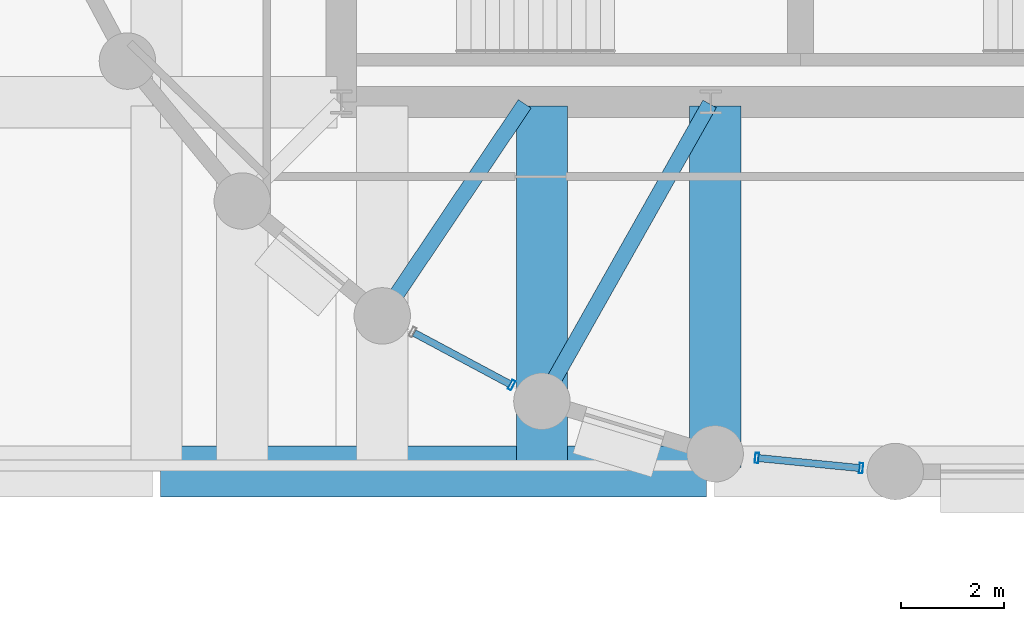
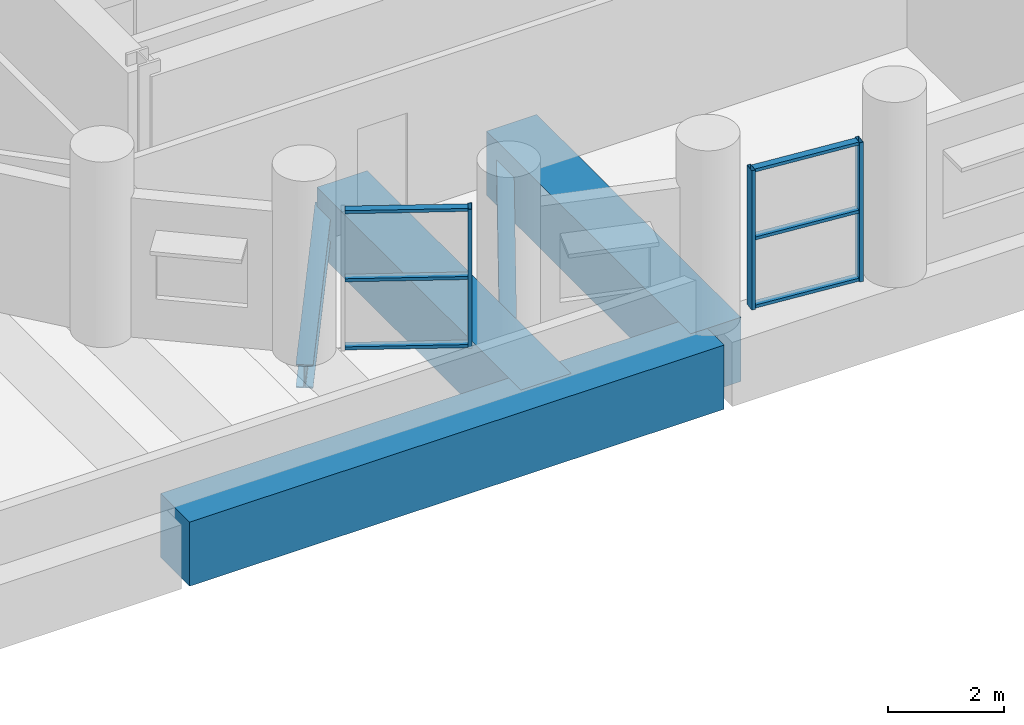
# One storey, part 5 of 39: 9 members, 5 beams, 2 elements without a shape of their own.
"""IFC4 building model written with IfcOpenShell, lengths in metres."""

import ifcopenshell
import ifcopenshell.guid

model = None  # the IFC model being written
_history = None  # IfcOwnerHistory: only IFC2X3 demands one
_inside = {}  # id of a spatial element -> (the spatial element, [elements in it])
_under = {}  # id of a project, library or spatial element -> (it, [spatial elements below it])
_declared = {}  # id of a project -> (the project, [libraries it declares])
_typed = {}  # id of a type object -> (the type object, [elements of that type])
_made_of = {}  # id of a material, layer set ... -> (it, [elements and type objects made of it])


def new_model(schema):
    """Start an empty IFC model of exactly this schema.

    Asked for "IFC4X3", IfcOpenShell would pick the latest addendum, in which some entities
    have other attributes; the version numbers below select the first issue.
    IFC2X3 requires an IfcOwnerHistory on every rooted entity: one is made here for all.
    """
    global model, _history
    if schema == "IFC4X3":
        model = ifcopenshell.file(schema_version=(4, 3, 0, 0))
    else:
        model = ifcopenshell.file(schema=schema)
    _inside.clear()
    _under.clear()
    _declared.clear()
    _typed.clear()
    _made_of.clear()
    _history = None
    if model.schema == "IFC2X3":
        org = make("IfcOrganization", Name="unknown")
        user = make(
            "IfcPersonAndOrganization",
            ThePerson=make("IfcPerson", FamilyName="unknown"),
            TheOrganization=org,
        )
        app = make(
            "IfcApplication",
            ApplicationDeveloper=org,
            Version="unknown",
            ApplicationFullName="unknown",
            ApplicationIdentifier="unknown",
        )
        _history = make(
            "IfcOwnerHistory",
            OwningUser=user,
            OwningApplication=app,
            ChangeAction="ADDED",
            CreationDate=0,
        )
    return model


def make(cls, **values):
    """One entity of the class cls with the attributes given. An attribute that is None is left unset."""
    return model.create_entity(
        cls, **{name: value for name, value in values.items() if value is not None}
    )


def rooted(cls, **values):
    """An entity with a GlobalId (a new one), such as an element, a storey or a relation."""
    return make(cls, GlobalId=ifcopenshell.guid.new(), OwnerHistory=_history, **values)


def si_unit(unit_type, name, prefix=None):
    """IfcSIUnit, for example si_unit("LENGTHUNIT", "METRE", prefix="MILLI")."""
    return make("IfcSIUnit", UnitType=unit_type, Prefix=prefix, Name=name)


def assignment(units):
    """IfcUnitAssignment: the units of a project."""
    return None if units is None else make("IfcUnitAssignment", Units=units)


def point(xyz):
    """IfcCartesianPoint."""
    return None if xyz is None else make("IfcCartesianPoint", Coordinates=xyz)


def direction(xyz):
    """IfcDirection."""
    return None if xyz is None else make("IfcDirection", DirectionRatios=xyz)


def frame(location, z_axis=None, x_axis=None):
    """IfcAxis2Placement3D, a coordinate frame: its origin and axes. An axis left out is left unset."""
    return make(
        "IfcAxis2Placement3D",
        Location=point(location),
        Axis=direction(z_axis),
        RefDirection=direction(x_axis),
    )


def frame_2d(location, x_axis=None):
    """IfcAxis2Placement2D, a coordinate frame in the plane: its origin and x axis."""
    return make(
        "IfcAxis2Placement2D", Location=point(location), RefDirection=direction(x_axis)
    )


def origin():
    """The frame at (0, 0, 0) with its axes left unset."""
    return frame((0.0, 0.0, 0.0))


def origin_2d():
    """The frame at (0, 0) in the plane with its x axis left unset."""
    return frame_2d((0.0, 0.0))


def place(relative_to, where):
    """IfcLocalPlacement: puts the frame where relative to a parent placement (None: the world)."""
    return make(
        "IfcLocalPlacement", PlacementRelTo=relative_to, RelativePlacement=where
    )


def context(
    kind, dimensions, precision=None, world=None, true_north=None, identifier=None
):
    """IfcGeometricRepresentationContext, for example the 3D "Model" context."""
    return make(
        "IfcGeometricRepresentationContext",
        ContextIdentifier=identifier,
        ContextType=kind,
        CoordinateSpaceDimension=dimensions,
        Precision=precision,
        WorldCoordinateSystem=world,
        TrueNorth=true_north,
    )


def subcontext(parent, identifier, kind, view, scale=None):
    """IfcGeometricRepresentationSubContext, for example "Body" below "Model"."""
    return make(
        "IfcGeometricRepresentationSubContext",
        ContextIdentifier=identifier,
        ContextType=kind,
        ParentContext=parent,
        TargetScale=scale,
        TargetView=view,
    )


def project(units=None, contexts=None):
    """IfcProject with its units and contexts."""
    return rooted(
        "IfcProject",
        Name="project",
        RepresentationContexts=contexts,
        UnitsInContext=assignment(units),
    )


def spatial(cls, under=None, at=None, **own):
    """A site, building, storey or space (cls), placed at a placement, below another one or the project."""
    s = rooted(cls, ObjectPlacement=at, **own)
    if under is not None:
        _under.setdefault(under.id(), (under, []))[1].append(s)
    return s


def profile(cls, at=None, kind="AREA", **sizes):
    """A parametric profile (cls). Its sizes go by their IFC names, for example OverallWidth=200.0."""
    return make(cls, ProfileType=kind, Position=at, **sizes)


def rectangle(**sizes):
    """IfcRectangleProfileDef."""
    return profile("IfcRectangleProfileDef", **sizes)


def hollow_rectangle(**sizes):
    """IfcRectangleHollowProfileDef."""
    return profile("IfcRectangleHollowProfileDef", **sizes)


def i_section(**sizes):
    """IfcIShapeProfileDef."""
    return profile("IfcIShapeProfileDef", **sizes)


def extrude(swept, where, along, depth):
    """IfcExtrudedAreaSolid: the profile swept, set in the frame where, extruded along a direction by depth."""
    return make(
        "IfcExtrudedAreaSolid",
        SweptArea=swept,
        Position=where,
        ExtrudedDirection=direction(along),
        Depth=depth,
    )


def shape(context_of_items, identifier, shape_type, items):
    """IfcShapeRepresentation: the items that make up one representation, for example the "Body"."""
    return make(
        "IfcShapeRepresentation",
        ContextOfItems=context_of_items,
        RepresentationIdentifier=identifier,
        RepresentationType=shape_type,
        Items=items,
    )


def material(Name=None, Category=None):
    """IfcMaterial."""
    return make("IfcMaterial", Name=Name, Category=Category)


def layer(
    of_material, thickness, ventilated=None, Name=None, Category=None, Priority=None
):
    """IfcMaterialLayer: one layer of a wall or slab, of a material (None: an air gap)."""
    return make(
        "IfcMaterialLayer",
        Material=of_material,
        LayerThickness=thickness,
        IsVentilated=ventilated,
        Name=Name,
        Category=Category,
        Priority=Priority,
    )


def layer_set(layers, Name=None):
    """IfcMaterialLayerSet."""
    return make("IfcMaterialLayerSet", MaterialLayers=layers, LayerSetName=Name)


def material_profile(
    of_material, cross_section, Name=None, Category=None, Priority=None
):
    """IfcMaterialProfile: a cross section and its material."""
    return make(
        "IfcMaterialProfile",
        Name=Name,
        Material=of_material,
        Profile=cross_section,
        Priority=Priority,
        Category=Category,
    )


def profile_set(profiles, Name=None, composite=None):
    """IfcMaterialProfileSet."""
    return make(
        "IfcMaterialProfileSet",
        Name=Name,
        MaterialProfiles=profiles,
        CompositeProfile=composite,
    )


def made_of(thing, what):
    """Note that an element or type object is made of a material, layer set ...; save() writes the relation."""
    if what is not None:
        _made_of.setdefault(what.id(), (what, []))[1].append(thing)
    return thing


def type_object(cls, material=None, **own):
    """A type object (cls), such as IfcWallType, which elements share."""
    return made_of(rooted(cls, **own), material)


def element(
    cls,
    number,
    at=None,
    inside=None,
    cuts=None,
    type_object=None,
    material=None,
    context=None,
    identifier="Body",
    shape_type=None,
    held_by="IfcProductDefinitionShape",
    body=None,
    shapes=None,
    **own,
):
    """One element of the class cls, such as IfcWall. Its Tag is "e" and its number.

    at: its placement. inside: the storey or other place that contains it. cuts: it is an
    opening in that element (IfcRelVoidsElement). A single representation is given by context,
    identifier, shape_type and body (its items); several are given by shapes. held_by: the class
    of the entity that holds the representations. save() writes the other relations.
    """
    e = rooted(cls, Tag="e%d" % number, ObjectPlacement=at, **own)
    if body is not None:
        shapes = [shape(context, identifier, shape_type, body)]
    if shapes is not None:
        e.Representation = make(held_by, Representations=shapes)
    if inside is not None:
        _inside.setdefault(inside.id(), (inside, []))[1].append(e)
    if cuts is not None:
        rooted(
            "IfcRelVoidsElement", RelatingBuildingElement=cuts, RelatedOpeningElement=e
        )
    if type_object is not None:
        _typed.setdefault(type_object.id(), (type_object, []))[1].append(e)
    return made_of(e, material)


def aggregate(whole, parts):
    """IfcRelAggregates: a whole, such as a stair, and the parts it consists of."""
    return rooted("IfcRelAggregates", RelatingObject=whole, RelatedObjects=parts)


def save(model, path):
    """Write the relations noted so far, then the file.

    IfcRelAggregates (storeys below a building ...), IfcRelContainedInSpatialStructure (elements
    in a storey), IfcRelDefinesByType, IfcRelAssociatesMaterial and IfcRelDeclares: one each for
    every whole, place, type object, material and project.
    """
    for whole, parts in _under.values():
        aggregate(whole, parts)
    for where, things in _inside.values():
        rooted(
            "IfcRelContainedInSpatialStructure",
            RelatedElements=things,
            RelatingStructure=where,
        )
    for kind, things in _typed.values():
        rooted("IfcRelDefinesByType", RelatedObjects=things, RelatingType=kind)
    for what, things in _made_of.values():
        rooted("IfcRelAssociatesMaterial", RelatedObjects=things, RelatingMaterial=what)
    for by, libraries in _declared.values():
        rooted("IfcRelDeclares", RelatingContext=by, RelatedDefinitions=libraries)
    model.write(path)


model = new_model("IFC4")

# Units and contexts
model_context = context("Model", 3, precision=1e-05, world=origin(), true_north=direction((0.0, 1.0)))
body_context = subcontext(model_context, "Body", "Model", "MODEL_VIEW")
ifc_project = project(units=[si_unit("LENGTHUNIT", "METRE"), si_unit("AREAUNIT", "SQUARE_METRE"), si_unit("VOLUMEUNIT", "CUBIC_METRE"), si_unit("PLANEANGLEUNIT", "RADIAN"), si_unit("MASSUNIT", "GRAM", prefix="KILO")], contexts=[model_context])

# Site, building, storey
site_placement = place(None, origin())
site = spatial("IfcSite", under=ifc_project, at=site_placement, CompositionType="ELEMENT")
building_placement = place(site_placement, origin())
building = spatial("IfcBuilding", under=site, at=building_placement, Name="Solnavia Interchange Tower", CompositionType="ELEMENT")
storey_placement = place(building_placement, frame((0.0, 0.0, 24.0)))
storey = spatial("IfcBuildingStorey", under=building, at=storey_placement, Name="L05", CompositionType="ELEMENT", Elevation=24.0)

# Beams
ifc_material_1 = material(Name="Steel S460", Category="steel")
ifc_material_profile_1 = material_profile(ifc_material_1, i_section(OverallWidth=0.300048828125, OverallDepth=0.550048828125, WebThickness=0.014892578125, FlangeThickness=0.029052734375, FilletRadius=0.027099609375, at=origin_2d()), Name="HEB 550")
ifc_profile_set_1 = profile_set([ifc_material_profile_1], Name="Steel S460")
beam_type_1 = type_object("IfcBeamType", Name="Beam-Girder-HEB550", PredefinedType="BEAM", material=ifc_profile_set_1)
beam_1_placement = place(storey_placement, frame((18.351318359375, 5.039794921875, -0.675048828125), z_axis=(0.491243158486, 0.871022479182, 0.0), x_axis=(-0.871022479182, 0.491243158486, 0.0)))
element("IfcBeam", 1, at=beam_1_placement, inside=storey, type_object=beam_type_1, Name="GRD-L05-DR10 Drum radial floor girder", PredefinedType="BEAM", context=body_context, shape_type="SweptSolid", body=[
    extrude(i_section(OverallWidth=0.300048828125, OverallDepth=0.550048828125, WebThickness=0.014892578125, FlangeThickness=0.029052734375, FilletRadius=0.027099609375, at=origin_2d()), origin(), (0.0, 0.0, 1.0), 6.5732421875),
])
ifc_material_2 = material(Name="Steel S355", Category="steel")
ifc_material_profile_2 = material_profile(ifc_material_2, i_section(OverallWidth=0.300048828125, OverallDepth=0.489990234375, WebThickness=0.011962890625, FlangeThickness=0.02294921875, FilletRadius=0.027099609375, at=origin_2d()), Name="HEA 500")
ifc_profile_set_2 = profile_set([ifc_material_profile_2], Name="Steel S355")
beam_type_2 = type_object("IfcBeamType", Name="Beam-Primary-HEA500", PredefinedType="BEAM", material=ifc_profile_set_2)
beam_2_placement = place(storey_placement, frame((15.24462890625, 6.700439453125, -0.64501953125), z_axis=(0.557835474219, 0.829951555033, 0.0), x_axis=(-0.829951555033, 0.557835474219, 0.0)))
element("IfcBeam", 2, at=beam_2_placement, inside=storey, type_object=beam_type_2, Name="GRD-L05-DR09 Drum radial floor girder", PredefinedType="BEAM", context=body_context, shape_type="SweptSolid", body=[
    extrude(i_section(OverallWidth=0.300048828125, OverallDepth=0.489990234375, WebThickness=0.011962890625, FlangeThickness=0.02294921875, FilletRadius=0.027099609375, at=origin_2d()), origin(), (0.0, 0.0, 1.0), 4.899658203125),
])
ifc_material_3 = material(Name="Concrete C60/75", Category="concrete")
ifc_material_profile_3 = material_profile(ifc_material_3, rectangle(XDim=1.0, YDim=1.35009765625, at=origin_2d()), Name="RC 1000x1350")
ifc_profile_set_3 = profile_set([ifc_material_profile_3], Name="Concrete C60/75")
beam_type_3 = type_object("IfcBeamType", Name="Beam-Transfer-RC1000x1350", PredefinedType="BEAM", material=ifc_profile_set_3)
beam_3_placement = place(storey_placement, frame((10.8798828125, 3.60009765625, -0.675048828125), z_axis=(1.0, 0.0, 0.0), x_axis=(0.0, 1.0, 0.0)))
element("IfcBeam", 3, at=beam_3_placement, inside=storey, type_object=beam_type_3, Name="TRB-L05-02 South primary transfer girder", PredefinedType="BEAM", context=body_context, shape_type="SweptSolid", body=[
    extrude(rectangle(XDim=1.0, YDim=1.35009765625, at=origin_2d()), origin(), (0.0, 0.0, 1.0), 10.64013671875),
])
for number, where, z_axis, x_axis, name in (
    (4, (18.31201171875, 3.679931640625, -0.675048828125), (0.0, 1.0, 0.0), (-1.0, 0.0, 0.0), "TRB-L05-80 Drum south transfer girder"),
    (5, (21.68798828125, 3.679931640625, -0.675048828125), (0.0, 1.0, 0.0), (-1.0, 0.0, 0.0), "TRB-L05-81 Drum south transfer girder"),
):
    element("IfcBeam", number, at=place(storey_placement, frame(where, z_axis=z_axis, x_axis=x_axis)), inside=storey, type_object=beam_type_3, Name=name, PredefinedType="BEAM", context=body_context, shape_type="SweptSolid", body=[
        extrude(rectangle(XDim=1.0, YDim=1.35009765625, at=origin_2d()), origin(), (0.0, 0.0, 1.0), 7.0400390625),
    ])

# Curtain wall, member
ifc_material_4 = material(Name="Aluminium Alloy 6063-T6", Category="aluminium")
ifc_layer = layer(ifc_material_4, 0.219970703125)
ifc_layer_set = layer_set([ifc_layer], Name="Aluminium Alloy 6063-T6")
curtain_wall_type = type_object("IfcCurtainWallType", Name="CurtainWall-Tower-CTW3", PredefinedType="NOTDEFINED", material=ifc_layer_set)
curtain_wall_1_placement = place(storey_placement, origin())
curtain_wall_1 = element("IfcCurtainWall", 6, at=curtain_wall_1_placement, inside=storey, type_object=curtain_wall_type, Name="CTW-L05-S62 CTW-3 curtain wall", PredefinedType="NOTDEFINED")
ifc_material_profile_4 = material_profile(ifc_material_4, hollow_rectangle(XDim=0.070068359375, YDim=0.199951171875, WallThickness=0.0048828125, at=origin_2d()), Name="ALU 200x70x5")
ifc_profile_set_4 = profile_set([ifc_material_profile_4], Name="Aluminium Alloy 6063-T6")
member_type_1 = type_object("IfcMemberType", Name="CW-Mullion-CWM-3", PredefinedType="MULLION", material=ifc_profile_set_4)
member_1_placement = place(storey_placement, frame((17.72119140625, 5.285888671875, 0.0), z_axis=(0.0, 0.0, 1.0), x_axis=(0.881837729314, -0.471552986585, 0.0)))
member_1 = element("IfcMember", 7, at=member_1_placement, type_object=member_type_1, Name="CTW-3 mullion 2", PredefinedType="MULLION", context=body_context, shape_type="SweptSolid", body=[
    extrude(hollow_rectangle(XDim=0.070068359375, YDim=0.199951171875, WallThickness=0.0048828125, at=origin_2d()), origin(), (0.0, 0.0, 1.0), 2.929931640625),
])

# Curtain wall, members
curtain_wall_2_placement = place(storey_placement, origin())
curtain_wall_2 = element("IfcCurtainWall", 8, at=curtain_wall_2_placement, inside=storey, type_object=curtain_wall_type, Name="CTW-L05-S64 CTW-3 curtain wall", PredefinedType="NOTDEFINED")
member_2_placement = place(storey_placement, frame((22.50048828125, 3.865966796875, 0.0), z_axis=(0.0, 0.0, 1.0), x_axis=(0.995183718955, -0.098027371316, 0.0)))
member_2 = element("IfcMember", 9, at=member_2_placement, type_object=member_type_1, Name="CTW-3 mullion 1", PredefinedType="MULLION", context=body_context, shape_type="SweptSolid", body=[
    extrude(hollow_rectangle(XDim=0.070068359375, YDim=0.199951171875, WallThickness=0.0048828125, at=origin_2d()), origin(), (0.0, 0.0, 1.0), 2.929931640625),
])
member_3_placement = place(storey_placement, frame((24.533203125, 3.665771484375, 0.0), z_axis=(0.0, 0.0, 1.0), x_axis=(0.995183718955, -0.098027371316, 0.0)))
member_3 = element("IfcMember", 10, at=member_3_placement, type_object=member_type_1, Name="CTW-3 mullion 2", PredefinedType="MULLION", context=body_context, shape_type="SweptSolid", body=[
    extrude(hollow_rectangle(XDim=0.070068359375, YDim=0.199951171875, WallThickness=0.0048828125, at=origin_2d()), origin(), (0.0, 0.0, 1.0), 2.929931640625),
])

# Member
ifc_material_profile_5 = material_profile(ifc_material_4, hollow_rectangle(XDim=0.06494140625, YDim=0.139892578125, WallThickness=0.00390625, at=origin_2d()), Name="ALU 140x65x4")
ifc_profile_set_5 = profile_set([ifc_material_profile_5], Name="Aluminium Alloy 6063-T6")
member_type_2 = type_object("IfcMemberType", Name="CW-Transom-CWT-3", PredefinedType="USERDEFINED", material=ifc_profile_set_5)
member_4_placement = place(storey_placement, frame((15.82177734375, 6.301513671875, 0.032470703125), z_axis=(0.881854845875, -0.471520975999, 0.0), x_axis=(0.0, 0.0, 1.0)))
member_4 = element("IfcMember", 11, at=member_4_placement, type_object=member_type_2, Name="CTW-3 transom 1.1", ObjectType="TRANSOM", PredefinedType="USERDEFINED", context=body_context, shape_type="SweptSolid", body=[
    extrude(hollow_rectangle(XDim=0.06494140625, YDim=0.139892578125, WallThickness=0.00390625, at=origin_2d()), origin(), (0.0, 0.0, 1.0), 2.11865234375),
])

member_5_placement = place(storey_placement, frame((15.82177734375, 6.301513671875, 1.465087890625), z_axis=(0.881854845875, -0.471520975999, 0.0), x_axis=(0.0, 0.0, 1.0)))
member_5 = element("IfcMember", 12, at=member_5_placement, type_object=member_type_2, Name="CTW-3 transom 1.2", ObjectType="TRANSOM", PredefinedType="USERDEFINED", context=body_context, shape_type="SweptSolid", body=[
    extrude(hollow_rectangle(XDim=0.06494140625, YDim=0.139892578125, WallThickness=0.00390625, at=origin_2d()), origin(), (0.0, 0.0, 1.0), 2.11865234375),
])

member_6_placement = place(storey_placement, frame((15.82177734375, 6.301513671875, 2.8974609375), z_axis=(0.881854845875, -0.471520975999, 0.0), x_axis=(0.0, 0.0, 1.0)))
member_6 = element("IfcMember", 13, at=member_6_placement, type_object=member_type_2, Name="CTW-3 transom 1.3", ObjectType="TRANSOM", PredefinedType="USERDEFINED", context=body_context, shape_type="SweptSolid", body=[
    extrude(hollow_rectangle(XDim=0.06494140625, YDim=0.139892578125, WallThickness=0.00390625, at=origin_2d()), origin(), (0.0, 0.0, 1.0), 2.11865234375),
])

aggregate(curtain_wall_1, [member_1, member_4, member_5, member_6])

member_7_placement = place(storey_placement, frame((22.53515625, 3.862548828125, 0.032470703125), z_axis=(0.99518554585, -0.09800882272, 0.0), x_axis=(0.0, 0.0, 1.0)))
member_7 = element("IfcMember", 14, at=member_7_placement, type_object=member_type_2, Name="CTW-3 transom 1.1", ObjectType="TRANSOM", PredefinedType="USERDEFINED", context=body_context, shape_type="SweptSolid", body=[
    extrude(hollow_rectangle(XDim=0.06494140625, YDim=0.139892578125, WallThickness=0.00390625, at=origin_2d()), origin(), (0.0, 0.0, 1.0), 1.972900390625),
])

member_8_placement = place(storey_placement, frame((22.53515625, 3.862548828125, 1.465087890625), z_axis=(0.99518554585, -0.09800882272, 0.0), x_axis=(0.0, 0.0, 1.0)))
member_8 = element("IfcMember", 15, at=member_8_placement, type_object=member_type_2, Name="CTW-3 transom 1.2", ObjectType="TRANSOM", PredefinedType="USERDEFINED", context=body_context, shape_type="SweptSolid", body=[
    extrude(hollow_rectangle(XDim=0.06494140625, YDim=0.139892578125, WallThickness=0.00390625, at=origin_2d()), origin(), (0.0, 0.0, 1.0), 1.972900390625),
])

member_9_placement = place(storey_placement, frame((22.53515625, 3.862548828125, 2.8974609375), z_axis=(0.99518554585, -0.09800882272, 0.0), x_axis=(0.0, 0.0, 1.0)))
member_9 = element("IfcMember", 16, at=member_9_placement, type_object=member_type_2, Name="CTW-3 transom 1.3", ObjectType="TRANSOM", PredefinedType="USERDEFINED", context=body_context, shape_type="SweptSolid", body=[
    extrude(hollow_rectangle(XDim=0.06494140625, YDim=0.139892578125, WallThickness=0.00390625, at=origin_2d()), origin(), (0.0, 0.0, 1.0), 1.972900390625),
])

aggregate(curtain_wall_2, [member_2, member_3, member_7, member_8, member_9])

save(model, "model.ifc")
